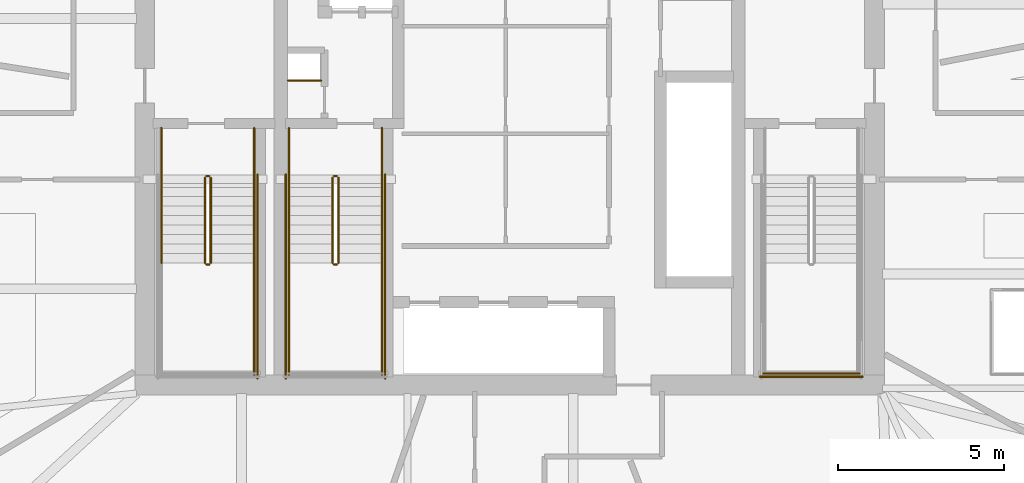
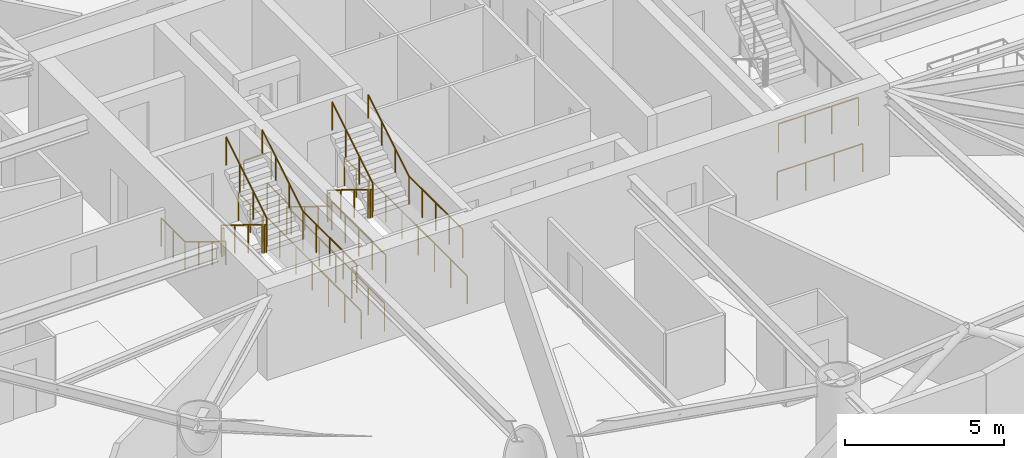
# One storey, part 18 of 20: 25 railings.
"""IFC4 building model written with IfcOpenShell, lengths in metres."""

from ifc_helpers import new_model, si_unit, direction, frame, origin, origin_2d, place, context, subcontext, project, spatial, circle, extrude, material, type_object, element, save


model = new_model("IFC4")

# Units and contexts
model_context = context("Model", 3, precision=1e-05, world=origin(), true_north=direction((0.0, 1.0)))
body_context = subcontext(model_context, "Body", "Model", "MODEL_VIEW")
ifc_project = project(units=[si_unit("LENGTHUNIT", "METRE"), si_unit("AREAUNIT", "SQUARE_METRE"), si_unit("VOLUMEUNIT", "CUBIC_METRE"), si_unit("PLANEANGLEUNIT", "RADIAN"), si_unit("MASSUNIT", "GRAM", prefix="KILO")], contexts=[model_context])

# Site, building, storey
site_placement = place(None, origin())
site = spatial("IfcSite", under=ifc_project, at=site_placement, CompositionType="ELEMENT")
building_placement = place(site_placement, origin())
building = spatial("IfcBuilding", under=site, at=building_placement, Name="Bramvorn Convention Spire", CompositionType="ELEMENT")
storey_placement = place(building_placement, frame((0.0, 0.0, 113.300048828125)))
storey = spatial("IfcBuildingStorey", under=building, at=storey_placement, Name="L27", CompositionType="ELEMENT", Elevation=113.300048828125)

# Railings
ifc_material_1 = material(Name="Painted Steel Balustrade & Guardrail", Category="steel")
railing_type_1 = type_object("IfcRailingType", Name="RL-STAIR-GUARD-1100", PredefinedType="GUARDRAIL", material=ifc_material_1)
railing_1_placement = place(storey_placement, frame((28.81005859375, 25.050048828125, 0.175048828125)))
element("IfcRailing", 1, at=railing_1_placement, inside=storey, type_object=railing_type_1, Name="L27 ST1 stair guard 1", PredefinedType="GUARDRAIL", context=body_context, shape_type="SweptSolid", body=[
    extrude(circle(Radius=0.02392578125, at=origin_2d()), frame((0.0, 0.0, 1.076171875), z_axis=(0.0, -0.852173129349, 0.523259933127), x_axis=(1.0, 0.0, 0.0)), (0.0, 0.0, 1.0), 3.009765625),
    extrude(circle(Radius=0.02099609375, at=origin_2d()), origin(), (0.0, 0.0, 1.0), 1.052001953125),
    extrude(circle(Radius=0.02099609375, at=origin_2d()), frame((0.0, -0.85498046875, 0.52490234375)), (0.0, 0.0, 1.0), 1.052001953125),
    extrude(circle(Radius=0.02099609375, at=origin_2d()), frame((0.0, -1.7099609375, 1.050048828125)), (0.0, 0.0, 1.0), 1.052001953125),
    extrude(circle(Radius=0.02099609375, at=origin_2d()), frame((0.0, -2.56494140625, 1.574951171875)), (0.0, 0.0, 1.0), 1.052001953125),
])
railing_2_placement = place(storey_placement, frame((28.860107421875, 22.43505859375, 1.75)))
element("IfcRailing", 2, at=railing_2_placement, inside=storey, type_object=railing_type_1, Name="L27 ST1 stair guard 2", PredefinedType="GUARDRAIL", context=body_context, shape_type="SweptSolid", body=[
    extrude(circle(Radius=0.02392578125, at=origin_2d()), frame((0.0, 0.0, 1.076171875), z_axis=(1.0, 0.0, 0.0), x_axis=(0.0, 1.0, 0.0)), (0.0, 0.0, 1.0), 0.079833984375),
    extrude(circle(Radius=0.02099609375, at=origin_2d()), origin(), (0.0, 0.0, 1.0), 1.052001953125),
    extrude(circle(Radius=0.02099609375, at=origin_2d()), frame((0.079833984375, 0.0, 0.0)), (0.0, 0.0, 1.0), 1.052001953125),
])
railing_3_placement = place(storey_placement, frame((30.300048828125, 22.485107421875, 1.75)))
element("IfcRailing", 3, at=railing_3_placement, inside=storey, type_object=railing_type_1, Name="L27 ST1 stair guard 4", PredefinedType="GUARDRAIL", context=body_context, shape_type="SweptSolid", body=[
    extrude(circle(Radius=0.02392578125, at=origin_2d()), frame((0.0, 0.0, 1.076171875), z_axis=(0.0, -1.0, 0.0), x_axis=(1.0, 0.0, 0.0)), (0.0, 0.0, 1.0), 3.385009765625),
    extrude(circle(Radius=0.02099609375, at=origin_2d()), origin(), (0.0, 0.0, 1.0), 1.052001953125),
    extrude(circle(Radius=0.02099609375, at=origin_2d()), frame((0.0, -0.84619140625, 0.0)), (0.0, 0.0, 1.0), 1.052001953125),
    extrude(circle(Radius=0.02099609375, at=origin_2d()), frame((0.0, -1.6923828125, 0.0)), (0.0, 0.0, 1.0), 1.052001953125),
    extrude(circle(Radius=0.02099609375, at=origin_2d()), frame((0.0, -2.538818359375, 0.0)), (0.0, 0.0, 1.0), 1.052001953125),
    extrude(circle(Radius=0.02099609375, at=origin_2d()), frame((0.0, -3.385009765625, 0.0)), (0.0, 0.0, 1.0), 1.052001953125),
])
railing_4_placement = place(storey_placement, frame((28.989990234375, 22.485107421875, 1.925048828125)))
element("IfcRailing", 4, at=railing_4_placement, inside=storey, type_object=railing_type_1, Name="L27 ST1 stair guard 6", PredefinedType="GUARDRAIL", context=body_context, shape_type="SweptSolid", body=[
    extrude(circle(Radius=0.02392578125, at=origin_2d()), frame((0.0, 0.0, 1.076171875), z_axis=(0.0, 0.852173129349, 0.523259933127), x_axis=(-1.0, 0.0, 0.0)), (0.0, 0.0, 1.0), 3.009765625),
    extrude(circle(Radius=0.02099609375, at=origin_2d()), origin(), (0.0, 0.0, 1.0), 1.052001953125),
    extrude(circle(Radius=0.02099609375, at=origin_2d()), frame((0.0, 0.85498046875, 0.52490234375)), (0.0, 0.0, 1.0), 1.052001953125),
    extrude(circle(Radius=0.02099609375, at=origin_2d()), frame((0.0, 1.7099609375, 1.050048828125)), (0.0, 0.0, 1.0), 1.052001953125),
    extrude(circle(Radius=0.02099609375, at=origin_2d()), frame((0.0, 2.56494140625, 1.574951171875)), (0.0, 0.0, 1.0), 1.052001953125),
])
railing_5_placement = place(storey_placement, frame((28.860107421875, 25.10009765625, 0.0)))
element("IfcRailing", 5, at=railing_5_placement, inside=storey, type_object=railing_type_1, Name="L27 ST1 stair guard 7", PredefinedType="GUARDRAIL", context=body_context, shape_type="SweptSolid", body=[
    extrude(circle(Radius=0.02392578125, at=origin_2d()), frame((0.0, 0.0, 1.076171875), z_axis=(1.0, 0.0, 0.0), x_axis=(0.0, 1.0, 0.0)), (0.0, 0.0, 1.0), 0.079833984375),
    extrude(circle(Radius=0.02099609375, at=origin_2d()), origin(), (0.0, 0.0, 1.0), 1.052001953125),
    extrude(circle(Radius=0.02099609375, at=origin_2d()), frame((0.079833984375, 0.0, 0.0)), (0.0, 0.0, 1.0), 1.052001953125),
])
for number, where, name in (
    (6, (27.5, 26.550048828125, 0.0), "L27 ST1 stair guard 8"),
    (7, (30.300048828125, 26.550048828125, 0.0), "L27 ST1 stair guard 9"),
):
    element("IfcRailing", number, at=place(storey_placement, frame(where)), inside=storey, type_object=railing_type_1, Name=name, PredefinedType="GUARDRAIL", context=body_context, shape_type="SweptSolid", body=[
        extrude(circle(Radius=0.02392578125, at=origin_2d()), frame((0.0, 0.0, 1.076171875), z_axis=(0.0, -1.0, 0.0), x_axis=(1.0, 0.0, 0.0)), (0.0, 0.0, 1.0), 1.5),
        extrude(circle(Radius=0.02099609375, at=origin_2d()), origin(), (0.0, 0.0, 1.0), 1.052001953125),
        extrude(circle(Radius=0.02099609375, at=origin_2d()), frame((0.0, -0.75, 0.0)), (0.0, 0.0, 1.0), 1.052001953125),
        extrude(circle(Radius=0.02099609375, at=origin_2d()), frame((0.0, -1.5, 0.0)), (0.0, 0.0, 1.0), 1.052001953125),
    ])
railing_6_placement = place(storey_placement, frame((30.39990234375, 25.14990234375, 0.0)))
element("IfcRailing", 8, at=railing_6_placement, inside=storey, type_object=railing_type_1, Name="L27 ST1 stair guard 11", PredefinedType="GUARDRAIL", context=body_context, shape_type="SweptSolid", body=[
    extrude(circle(Radius=0.02392578125, at=origin_2d()), frame((0.0, 0.0, 1.076171875), z_axis=(0.0, -1.0, 0.0), x_axis=(1.0, 0.0, 0.0)), (0.0, 0.0, 1.0), 6.14990234375),
    extrude(circle(Radius=0.02099609375, at=origin_2d()), origin(), (0.0, 0.0, 1.0), 1.052001953125),
    extrude(circle(Radius=0.02099609375, at=origin_2d()), frame((0.0, -1.02490234375, 0.0)), (0.0, 0.0, 1.0), 1.052001953125),
    extrude(circle(Radius=0.02099609375, at=origin_2d()), frame((0.0, -2.050048828125, 0.0)), (0.0, 0.0, 1.0), 1.052001953125),
    extrude(circle(Radius=0.02099609375, at=origin_2d()), frame((0.0, -3.074951171875, 0.0)), (0.0, 0.0, 1.0), 1.052001953125),
    extrude(circle(Radius=0.02099609375, at=origin_2d()), frame((0.0, -4.099853515625, 0.0)), (0.0, 0.0, 1.0), 1.052001953125),
    extrude(circle(Radius=0.02099609375, at=origin_2d()), frame((0.0, -5.125, 0.0)), (0.0, 0.0, 1.0), 1.052001953125),
    extrude(circle(Radius=0.02099609375, at=origin_2d()), frame((0.0, -6.14990234375, 0.0)), (0.0, 0.0, 1.0), 1.052001953125),
])
railing_7_placement = place(storey_placement, frame((45.64990234375, 19.14990234375, 1.75)))
element("IfcRailing", 9, at=railing_7_placement, inside=storey, type_object=railing_type_1, Name="L27 ST2 stair guard 5", PredefinedType="GUARDRAIL", context=body_context, shape_type="SweptSolid", body=[
    extrude(circle(Radius=0.02392578125, at=origin_2d()), frame((0.0, 0.0, 1.076171875), z_axis=(1.0, 0.0, 0.0), x_axis=(0.0, 1.0, 0.0)), (0.0, 0.0, 1.0), 2.900146484375),
    extrude(circle(Radius=0.02099609375, at=origin_2d()), origin(), (0.0, 0.0, 1.0), 1.052001953125),
    extrude(circle(Radius=0.02099609375, at=origin_2d()), frame((0.966796875, 0.0, 0.0)), (0.0, 0.0, 1.0), 1.052001953125),
    extrude(circle(Radius=0.02099609375, at=origin_2d()), frame((1.933349609375, 0.0, 0.0)), (0.0, 0.0, 1.0), 1.052001953125),
    extrude(circle(Radius=0.02099609375, at=origin_2d()), frame((2.900146484375, 0.0, 0.0)), (0.0, 0.0, 1.0), 1.052001953125),
])
railing_8_placement = place(storey_placement, frame((45.550048828125, 19.050048828125, 0.0)))
element("IfcRailing", 10, at=railing_8_placement, inside=storey, type_object=railing_type_1, Name="L27 ST2 stair guard 12", PredefinedType="GUARDRAIL", context=body_context, shape_type="SweptSolid", body=[
    extrude(circle(Radius=0.02392578125, at=origin_2d()), frame((0.0, 0.0, 1.076171875), z_axis=(1.0, 0.0, 0.0), x_axis=(0.0, 1.0, 0.0)), (0.0, 0.0, 1.0), 3.099853515625),
    extrude(circle(Radius=0.02099609375, at=origin_2d()), origin(), (0.0, 0.0, 1.0), 1.052001953125),
    extrude(circle(Radius=0.02099609375, at=origin_2d()), frame((1.033203125, 0.0, 0.0)), (0.0, 0.0, 1.0), 1.052001953125),
    extrude(circle(Radius=0.02099609375, at=origin_2d()), frame((2.066650390625, 0.0, 0.0)), (0.0, 0.0, 1.0), 1.052001953125),
    extrude(circle(Radius=0.02099609375, at=origin_2d()), frame((3.099853515625, 0.0, 0.0)), (0.0, 0.0, 1.0), 1.052001953125),
])
railing_9_placement = place(storey_placement, frame((32.659912109375, 25.050048828125, 0.175048828125)))
element("IfcRailing", 11, at=railing_9_placement, inside=storey, type_object=railing_type_1, Name="L27 ST3 stair guard 1", PredefinedType="GUARDRAIL", context=body_context, shape_type="SweptSolid", body=[
    extrude(circle(Radius=0.02392578125, at=origin_2d()), frame((0.0, 0.0, 1.076171875), z_axis=(0.0, -0.852173129349, 0.523259933127), x_axis=(1.0, 0.0, 0.0)), (0.0, 0.0, 1.0), 3.009765625),
    extrude(circle(Radius=0.02099609375, at=origin_2d()), origin(), (0.0, 0.0, 1.0), 1.052001953125),
    extrude(circle(Radius=0.02099609375, at=origin_2d()), frame((0.0, -0.85498046875, 0.52490234375)), (0.0, 0.0, 1.0), 1.052001953125),
    extrude(circle(Radius=0.02099609375, at=origin_2d()), frame((0.0, -1.7099609375, 1.050048828125)), (0.0, 0.0, 1.0), 1.052001953125),
    extrude(circle(Radius=0.02099609375, at=origin_2d()), frame((0.0, -2.56494140625, 1.574951171875)), (0.0, 0.0, 1.0), 1.052001953125),
])
railing_10_placement = place(storey_placement, frame((32.7099609375, 22.43505859375, 1.75)))
element("IfcRailing", 12, at=railing_10_placement, inside=storey, type_object=railing_type_1, Name="L27 ST3 stair guard 2", PredefinedType="GUARDRAIL", context=body_context, shape_type="SweptSolid", body=[
    extrude(circle(Radius=0.02392578125, at=origin_2d()), frame((0.0, 0.0, 1.076171875), z_axis=(1.0, 0.0, 0.0), x_axis=(0.0, 1.0, 0.0)), (0.0, 0.0, 1.0), 0.080078125),
    extrude(circle(Radius=0.02099609375, at=origin_2d()), origin(), (0.0, 0.0, 1.0), 1.052001953125),
    extrude(circle(Radius=0.02099609375, at=origin_2d()), frame((0.080078125, 0.0, 0.0)), (0.0, 0.0, 1.0), 1.052001953125),
])
for number, where, name in (
    (13, (31.35009765625, 22.485107421875, 1.75), "L27 ST3 stair guard 3"),
    (14, (34.14990234375, 22.485107421875, 1.75), "L27 ST3 stair guard 4"),
):
    element("IfcRailing", number, at=place(storey_placement, frame(where)), inside=storey, type_object=railing_type_1, Name=name, PredefinedType="GUARDRAIL", context=body_context, shape_type="SweptSolid", body=[
        extrude(circle(Radius=0.02392578125, at=origin_2d()), frame((0.0, 0.0, 1.076171875), z_axis=(0.0, -1.0, 0.0), x_axis=(1.0, 0.0, 0.0)), (0.0, 0.0, 1.0), 3.385009765625),
        extrude(circle(Radius=0.02099609375, at=origin_2d()), origin(), (0.0, 0.0, 1.0), 1.052001953125),
        extrude(circle(Radius=0.02099609375, at=origin_2d()), frame((0.0, -0.84619140625, 0.0)), (0.0, 0.0, 1.0), 1.052001953125),
        extrude(circle(Radius=0.02099609375, at=origin_2d()), frame((0.0, -1.6923828125, 0.0)), (0.0, 0.0, 1.0), 1.052001953125),
        extrude(circle(Radius=0.02099609375, at=origin_2d()), frame((0.0, -2.538818359375, 0.0)), (0.0, 0.0, 1.0), 1.052001953125),
        extrude(circle(Radius=0.02099609375, at=origin_2d()), frame((0.0, -3.385009765625, 0.0)), (0.0, 0.0, 1.0), 1.052001953125),
    ])
railing_11_placement = place(storey_placement, frame((32.840087890625, 22.485107421875, 1.925048828125)))
element("IfcRailing", 15, at=railing_11_placement, inside=storey, type_object=railing_type_1, Name="L27 ST3 stair guard 6", PredefinedType="GUARDRAIL", context=body_context, shape_type="SweptSolid", body=[
    extrude(circle(Radius=0.02392578125, at=origin_2d()), frame((0.0, 0.0, 1.076171875), z_axis=(0.0, 0.852173129349, 0.523259933127), x_axis=(-1.0, 0.0, 0.0)), (0.0, 0.0, 1.0), 3.009765625),
    extrude(circle(Radius=0.02099609375, at=origin_2d()), origin(), (0.0, 0.0, 1.0), 1.052001953125),
    extrude(circle(Radius=0.02099609375, at=origin_2d()), frame((0.0, 0.85498046875, 0.52490234375)), (0.0, 0.0, 1.0), 1.052001953125),
    extrude(circle(Radius=0.02099609375, at=origin_2d()), frame((0.0, 1.7099609375, 1.050048828125)), (0.0, 0.0, 1.0), 1.052001953125),
    extrude(circle(Radius=0.02099609375, at=origin_2d()), frame((0.0, 2.56494140625, 1.574951171875)), (0.0, 0.0, 1.0), 1.052001953125),
])
railing_12_placement = place(storey_placement, frame((32.7099609375, 25.10009765625, 0.0)))
element("IfcRailing", 16, at=railing_12_placement, inside=storey, type_object=railing_type_1, Name="L27 ST3 stair guard 7", PredefinedType="GUARDRAIL", context=body_context, shape_type="SweptSolid", body=[
    extrude(circle(Radius=0.02392578125, at=origin_2d()), frame((0.0, 0.0, 1.076171875), z_axis=(1.0, 0.0, 0.0), x_axis=(0.0, 1.0, 0.0)), (0.0, 0.0, 1.0), 0.080078125),
    extrude(circle(Radius=0.02099609375, at=origin_2d()), origin(), (0.0, 0.0, 1.0), 1.052001953125),
    extrude(circle(Radius=0.02099609375, at=origin_2d()), frame((0.080078125, 0.0, 0.0)), (0.0, 0.0, 1.0), 1.052001953125),
])
for number, where, name in (
    (17, (31.35009765625, 26.550048828125, 0.0), "L27 ST3 stair guard 8"),
    (18, (34.14990234375, 26.550048828125, 0.0), "L27 ST3 stair guard 9"),
):
    element("IfcRailing", number, at=place(storey_placement, frame(where)), inside=storey, type_object=railing_type_1, Name=name, PredefinedType="GUARDRAIL", context=body_context, shape_type="SweptSolid", body=[
        extrude(circle(Radius=0.02392578125, at=origin_2d()), frame((0.0, 0.0, 1.076171875), z_axis=(0.0, -1.0, 0.0), x_axis=(1.0, 0.0, 0.0)), (0.0, 0.0, 1.0), 1.5),
        extrude(circle(Radius=0.02099609375, at=origin_2d()), origin(), (0.0, 0.0, 1.0), 1.052001953125),
        extrude(circle(Radius=0.02099609375, at=origin_2d()), frame((0.0, -0.75, 0.0)), (0.0, 0.0, 1.0), 1.052001953125),
        extrude(circle(Radius=0.02099609375, at=origin_2d()), frame((0.0, -1.5, 0.0)), (0.0, 0.0, 1.0), 1.052001953125),
    ])
for number, where, name in (
    (19, (31.25, 25.14990234375, 0.0), "L27 ST3 stair guard 10"),
    (20, (34.25, 25.14990234375, 0.0), "L27 ST3 stair guard 11"),
):
    element("IfcRailing", number, at=place(storey_placement, frame(where)), inside=storey, type_object=railing_type_1, Name=name, PredefinedType="GUARDRAIL", context=body_context, shape_type="SweptSolid", body=[
        extrude(circle(Radius=0.02392578125, at=origin_2d()), frame((0.0, 0.0, 1.076171875), z_axis=(0.0, -1.0, 0.0), x_axis=(1.0, 0.0, 0.0)), (0.0, 0.0, 1.0), 6.14990234375),
        extrude(circle(Radius=0.02099609375, at=origin_2d()), origin(), (0.0, 0.0, 1.0), 1.052001953125),
        extrude(circle(Radius=0.02099609375, at=origin_2d()), frame((0.0, -1.02490234375, 0.0)), (0.0, 0.0, 1.0), 1.052001953125),
        extrude(circle(Radius=0.02099609375, at=origin_2d()), frame((0.0, -2.050048828125, 0.0)), (0.0, 0.0, 1.0), 1.052001953125),
        extrude(circle(Radius=0.02099609375, at=origin_2d()), frame((0.0, -3.074951171875, 0.0)), (0.0, 0.0, 1.0), 1.052001953125),
        extrude(circle(Radius=0.02099609375, at=origin_2d()), frame((0.0, -4.099853515625, 0.0)), (0.0, 0.0, 1.0), 1.052001953125),
        extrude(circle(Radius=0.02099609375, at=origin_2d()), frame((0.0, -5.125, 0.0)), (0.0, 0.0, 1.0), 1.052001953125),
        extrude(circle(Radius=0.02099609375, at=origin_2d()), frame((0.0, -6.14990234375, 0.0)), (0.0, 0.0, 1.0), 1.052001953125),
    ])
railing_13_placement = place(storey_placement, frame((31.320068359375, 27.97998046875, 0.0)))
element("IfcRailing", 21, at=railing_13_placement, inside=storey, type_object=railing_type_1, Name="L27 Telecom riser shaft opening safety guardrail", PredefinedType="GUARDRAIL", context=body_context, shape_type="SweptSolid", body=[
    extrude(circle(Radius=0.02392578125, at=origin_2d()), frame((0.0, 0.0, 1.076171875), z_axis=(1.0, 0.0, 0.0), x_axis=(0.0, 1.0, 0.0)), (0.0, 0.0, 1.0), 1.0),
    extrude(circle(Radius=0.02099609375, at=origin_2d()), origin(), (0.0, 0.0, 1.0), 1.052001953125),
    extrude(circle(Radius=0.02099609375, at=origin_2d()), frame((1.0, 0.0, 0.0)), (0.0, 0.0, 1.0), 1.052001953125),
])
ifc_material_2 = material(Name="Brushed Bronze Tubular Handrail", Category="aluminium")
railing_type_2 = type_object("IfcRailingType", Name="RL-STAIR-HR-920", PredefinedType="HANDRAIL", material=ifc_material_2)
railing_14_placement = place(storey_placement, frame((27.5, 25.050048828125, 0.175048828125)))
element("IfcRailing", 22, at=railing_14_placement, inside=storey, type_object=railing_type_2, Name="L27 ST1 stair handrail 1", PredefinedType="HANDRAIL", context=body_context, shape_type="SweptSolid", body=[
    extrude(circle(Radius=0.02392578125, at=origin_2d()), frame((0.0, 0.0, 0.89599609375), z_axis=(0.0, -0.852173129349, 0.523259933127), x_axis=(1.0, 0.0, 0.0)), (0.0, 0.0, 1.0), 3.009765625),
    extrude(circle(Radius=0.02099609375, at=origin_2d()), origin(), (0.0, 0.0, 1.0), 0.871826171875),
    extrude(circle(Radius=0.02099609375, at=origin_2d()), frame((0.0, -0.85498046875, 0.52490234375)), (0.0, 0.0, 1.0), 0.871826171875),
    extrude(circle(Radius=0.02099609375, at=origin_2d()), frame((0.0, -1.7099609375, 1.050048828125)), (0.0, 0.0, 1.0), 0.871826171875),
    extrude(circle(Radius=0.02099609375, at=origin_2d()), frame((0.0, -2.56494140625, 1.574951171875)), (0.0, 0.0, 1.0), 0.871826171875),
])
railing_15_placement = place(storey_placement, frame((30.300048828125, 22.485107421875, 1.925048828125)))
element("IfcRailing", 23, at=railing_15_placement, inside=storey, type_object=railing_type_2, Name="L27 ST1 stair handrail 2", PredefinedType="HANDRAIL", context=body_context, shape_type="SweptSolid", body=[
    extrude(circle(Radius=0.02392578125, at=origin_2d()), frame((0.0, 0.0, 0.89599609375), z_axis=(0.0, 0.852173129349, 0.523259933127), x_axis=(-1.0, 0.0, 0.0)), (0.0, 0.0, 1.0), 3.009765625),
    extrude(circle(Radius=0.02099609375, at=origin_2d()), origin(), (0.0, 0.0, 1.0), 0.871826171875),
    extrude(circle(Radius=0.02099609375, at=origin_2d()), frame((0.0, 0.85498046875, 0.52490234375)), (0.0, 0.0, 1.0), 0.871826171875),
    extrude(circle(Radius=0.02099609375, at=origin_2d()), frame((0.0, 1.7099609375, 1.050048828125)), (0.0, 0.0, 1.0), 0.871826171875),
    extrude(circle(Radius=0.02099609375, at=origin_2d()), frame((0.0, 2.56494140625, 1.574951171875)), (0.0, 0.0, 1.0), 0.871826171875),
])
railing_16_placement = place(storey_placement, frame((31.35009765625, 25.050048828125, 0.175048828125)))
element("IfcRailing", 24, at=railing_16_placement, inside=storey, type_object=railing_type_2, Name="L27 ST3 stair handrail 1", PredefinedType="HANDRAIL", context=body_context, shape_type="SweptSolid", body=[
    extrude(circle(Radius=0.02392578125, at=origin_2d()), frame((0.0, 0.0, 0.89599609375), z_axis=(0.0, -0.852173129349, 0.523259933127), x_axis=(1.0, 0.0, 0.0)), (0.0, 0.0, 1.0), 3.009765625),
    extrude(circle(Radius=0.02099609375, at=origin_2d()), origin(), (0.0, 0.0, 1.0), 0.871826171875),
    extrude(circle(Radius=0.02099609375, at=origin_2d()), frame((0.0, -0.85498046875, 0.52490234375)), (0.0, 0.0, 1.0), 0.871826171875),
    extrude(circle(Radius=0.02099609375, at=origin_2d()), frame((0.0, -1.7099609375, 1.050048828125)), (0.0, 0.0, 1.0), 0.871826171875),
    extrude(circle(Radius=0.02099609375, at=origin_2d()), frame((0.0, -2.56494140625, 1.574951171875)), (0.0, 0.0, 1.0), 0.871826171875),
])
railing_17_placement = place(storey_placement, frame((34.14990234375, 22.485107421875, 1.925048828125)))
element("IfcRailing", 25, at=railing_17_placement, inside=storey, type_object=railing_type_2, Name="L27 ST3 stair handrail 2", PredefinedType="HANDRAIL", context=body_context, shape_type="SweptSolid", body=[
    extrude(circle(Radius=0.02392578125, at=origin_2d()), frame((0.0, 0.0, 0.89599609375), z_axis=(0.0, 0.852173129349, 0.523259933127), x_axis=(-1.0, 0.0, 0.0)), (0.0, 0.0, 1.0), 3.009765625),
    extrude(circle(Radius=0.02099609375, at=origin_2d()), origin(), (0.0, 0.0, 1.0), 0.871826171875),
    extrude(circle(Radius=0.02099609375, at=origin_2d()), frame((0.0, 0.85498046875, 0.52490234375)), (0.0, 0.0, 1.0), 0.871826171875),
    extrude(circle(Radius=0.02099609375, at=origin_2d()), frame((0.0, 1.7099609375, 1.050048828125)), (0.0, 0.0, 1.0), 0.871826171875),
    extrude(circle(Radius=0.02099609375, at=origin_2d()), frame((0.0, 2.56494140625, 1.574951171875)), (0.0, 0.0, 1.0), 0.871826171875),
])

save(model, "model.ifc")
